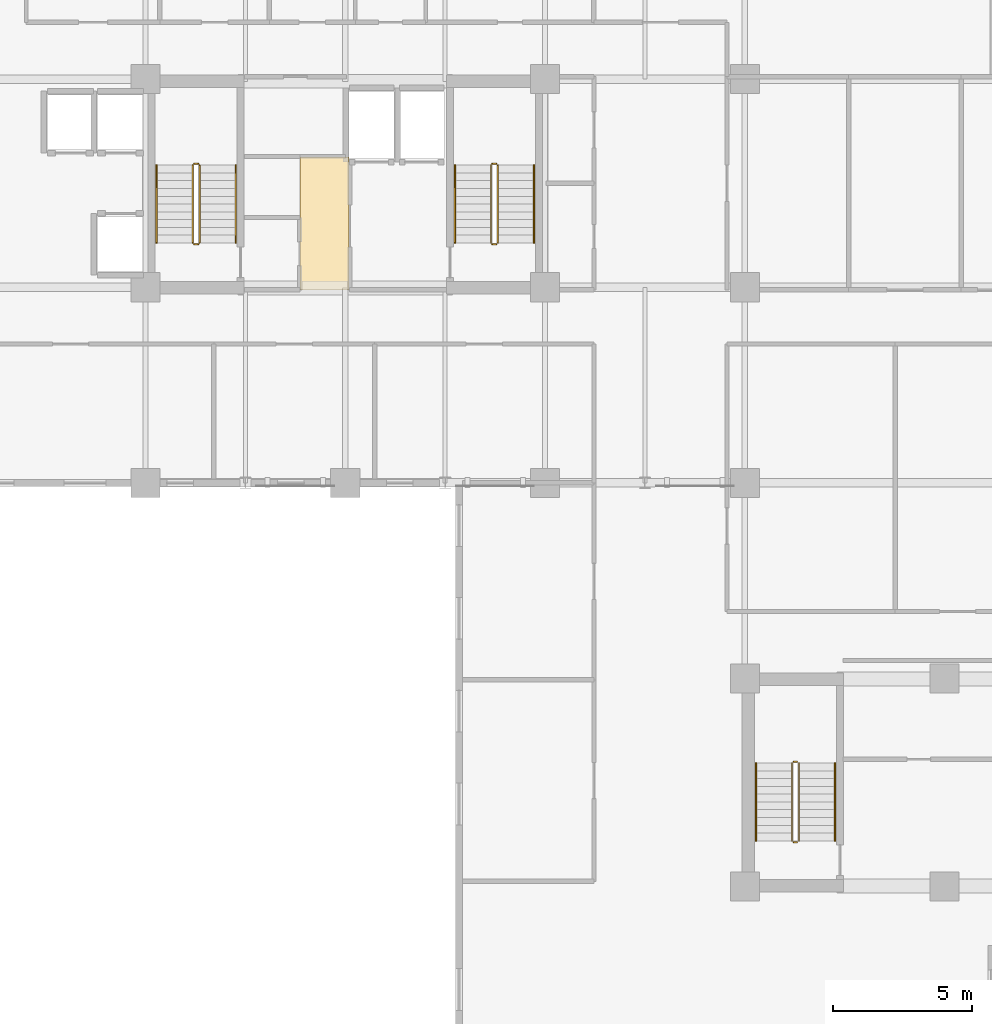
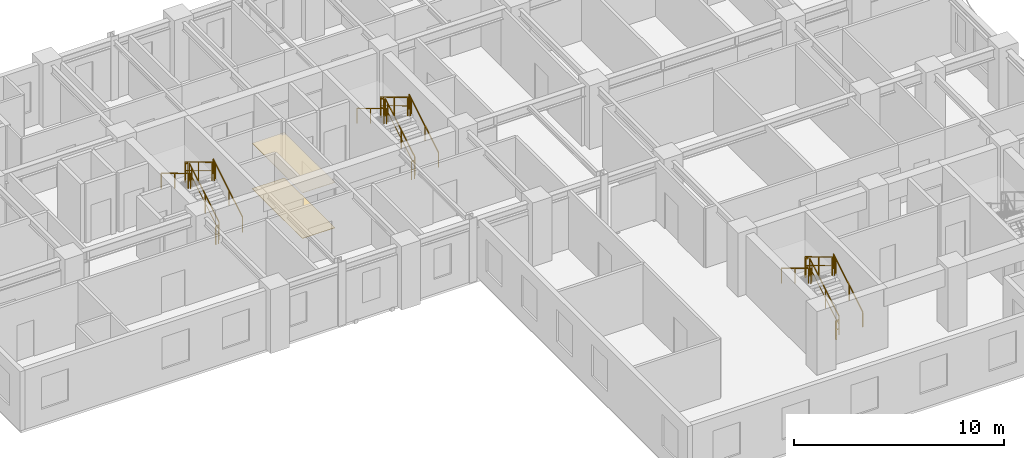
# One storey, part 11 of 13: 18 railings, 2 coverings.
"""IFC4 building model written with IfcOpenShell, lengths in metres."""

from ifc_helpers import new_model, si_unit, direction, frame, origin, origin_2d, place, context, subcontext, project, spatial, rectangle, extrude, source, transform, mapped, material, layer, layer_set, type_object, element, save


model = new_model("IFC4")

# Units and contexts
model_context = context("Model", 3, precision=1e-05, world=origin(), true_north=direction((0.0, 1.0)))
body_context = subcontext(model_context, "Body", "Model", "MODEL_VIEW")
ifc_project = project(units=[si_unit("LENGTHUNIT", "METRE"), si_unit("AREAUNIT", "SQUARE_METRE"), si_unit("VOLUMEUNIT", "CUBIC_METRE"), si_unit("PLANEANGLEUNIT", "RADIAN"), si_unit("MASSUNIT", "GRAM", prefix="KILO")], contexts=[model_context])

# Site, building, storey
site_placement = place(None, origin())
site = spatial("IfcSite", under=ifc_project, at=site_placement, CompositionType="ELEMENT")
building_placement = place(site_placement, origin())
building = spatial("IfcBuilding", under=site, at=building_placement, Name="Kaliganga Portal Commons", CompositionType="ELEMENT")
storey_placement = place(building_placement, frame((0.0, 0.0, 180.89990234375)))
storey = spatial("IfcBuildingStorey", under=building, at=storey_placement, Name="L46", CompositionType="ELEMENT", Elevation=180.89990234375)

# Railings
ifc_material_1 = material(Name="Galvanized Painted Steel Balustrade", Category="steel")
railing_type_1 = type_object("IfcRailingType", Name="RLG-STAIR-GRD", PredefinedType="GUARDRAIL", material=ifc_material_1)
railing_1_placement = place(storey_placement, frame((16.35009765625, 30.25, 0.168212890625)))
element("IfcRailing", 1, at=railing_1_placement, inside=storey, type_object=railing_type_1, Name="L46 ST-A1 stair guard 1", PredefinedType="GUARDRAIL", context=body_context, shape_type="SweptSolid", body=[
    extrude(rectangle(XDim=0.048095703125, YDim=0.048095703125, at=origin_2d()), frame((0.0, 0.0, 1.072021484375), z_axis=(0.0, 0.857242210791, 0.514913383045), x_axis=(-1.0, 0.0, 0.0)), (0.0, 0.0, 1.0), 3.266357421875),
    extrude(rectangle(XDim=0.028076171875, YDim=0.028076171875, at=origin_2d()), frame((0.0, 0.0, 0.572021484375), z_axis=(0.0, 0.857242210791, 0.514913383045), x_axis=(-1.0, 0.0, 0.0)), (0.0, 0.0, 1.0), 3.266357421875),
    extrude(rectangle(XDim=0.0419921875, YDim=0.0419921875, at=origin_2d()), origin(), (0.0, 0.0, 1.0), 1.052001953125),
    extrude(rectangle(XDim=0.0419921875, YDim=0.0419921875, at=origin_2d()), frame((0.0, 1.285888671875, 0.7724609375)), (0.0, 0.0, 1.0), 1.052001953125),
    extrude(rectangle(XDim=0.0419921875, YDim=0.0419921875, at=origin_2d()), frame((0.0, 2.57177734375, 1.544677734375)), (0.0, 0.0, 1.0), 1.052001953125),
    extrude(rectangle(XDim=0.0419921875, YDim=0.0419921875, at=origin_2d()), frame((0.0, 2.800048828125, 1.681884765625)), (0.0, 0.0, 1.0), 1.052001953125),
])
railing_2_placement = place(storey_placement, frame((16.300048828125, 33.10009765625, 1.85009765625)))
element("IfcRailing", 2, at=railing_2_placement, inside=storey, type_object=railing_type_1, Name="L46 ST-A1 stair guard 2", PredefinedType="GUARDRAIL", context=body_context, shape_type="SweptSolid", body=[
    extrude(rectangle(XDim=0.048095703125, YDim=0.048095703125, at=origin_2d()), frame((0.0, 0.0, 1.076171875), z_axis=(-1.0, 0.0, 0.0), x_axis=(0.0, -1.0, 0.0)), (0.0, 0.0, 1.0), 0.150146484375),
    extrude(rectangle(XDim=0.028076171875, YDim=0.028076171875, at=origin_2d()), frame((0.0, 0.0, 0.572021484375), z_axis=(-1.0, 0.0, 0.0), x_axis=(0.0, -1.0, 0.0)), (0.0, 0.0, 1.0), 0.150146484375),
    extrude(rectangle(XDim=0.0419921875, YDim=0.0419921875, at=origin_2d()), origin(), (0.0, 0.0, 1.0), 1.052001953125),
    extrude(rectangle(XDim=0.0419921875, YDim=0.0419921875, at=origin_2d()), frame((-0.150146484375, 0.0, 0.0)), (0.0, 0.0, 1.0), 1.052001953125),
])
railing_3_placement = place(storey_placement, frame((16.10009765625, 33.050048828125, 2.018310546875)))
element("IfcRailing", 3, at=railing_3_placement, inside=storey, type_object=railing_type_1, Name="L46 ST-A1 stair guard 3", PredefinedType="GUARDRAIL", context=body_context, shape_type="SweptSolid", body=[
    extrude(rectangle(XDim=0.048095703125, YDim=0.048095703125, at=origin_2d()), frame((0.0, 0.0, 1.072021484375), z_axis=(0.0, -0.857242210791, 0.514913383045), x_axis=(1.0, 0.0, 0.0)), (0.0, 0.0, 1.0), 3.266357421875),
    extrude(rectangle(XDim=0.028076171875, YDim=0.028076171875, at=origin_2d()), frame((0.0, 0.0, 0.572021484375), z_axis=(0.0, -0.857242210791, 0.514913383045), x_axis=(1.0, 0.0, 0.0)), (0.0, 0.0, 1.0), 3.266357421875),
    extrude(rectangle(XDim=0.0419921875, YDim=0.0419921875, at=origin_2d()), origin(), (0.0, 0.0, 1.0), 1.052001953125),
    extrude(rectangle(XDim=0.0419921875, YDim=0.0419921875, at=origin_2d()), frame((0.0, -1.285888671875, 0.7724609375)), (0.0, 0.0, 1.0), 1.052001953125),
    extrude(rectangle(XDim=0.0419921875, YDim=0.0419921875, at=origin_2d()), frame((0.0, -2.57177734375, 1.544677734375)), (0.0, 0.0, 1.0), 1.052001953125),
    extrude(rectangle(XDim=0.0419921875, YDim=0.0419921875, at=origin_2d()), frame((0.0, -2.800048828125, 1.681884765625)), (0.0, 0.0, 1.0), 1.052001953125),
])
railing_4_placement = place(storey_placement, frame((16.300048828125, 30.199951171875, 0.0)))
element("IfcRailing", 4, at=railing_4_placement, inside=storey, type_object=railing_type_1, Name="L46 ST-A1 stair guard 4", PredefinedType="GUARDRAIL", context=body_context, shape_type="SweptSolid", body=[
    extrude(rectangle(XDim=0.048095703125, YDim=0.048095703125, at=origin_2d()), frame((0.0, 0.0, 1.076171875), z_axis=(-1.0, 0.0, 0.0), x_axis=(0.0, -1.0, 0.0)), (0.0, 0.0, 1.0), 0.150146484375),
    extrude(rectangle(XDim=0.028076171875, YDim=0.028076171875, at=origin_2d()), frame((0.0, 0.0, 0.572021484375), z_axis=(-1.0, 0.0, 0.0), x_axis=(0.0, -1.0, 0.0)), (0.0, 0.0, 1.0), 0.150146484375),
    extrude(rectangle(XDim=0.0419921875, YDim=0.0419921875, at=origin_2d()), origin(), (0.0, 0.0, 1.0), 1.052001953125),
    extrude(rectangle(XDim=0.0419921875, YDim=0.0419921875, at=origin_2d()), frame((-0.150146484375, 0.0, 0.0)), (0.0, 0.0, 1.0), 1.052001953125),
])
railing_5_placement = place(storey_placement, frame((27.10009765625, 30.25, 0.168212890625)))
element("IfcRailing", 5, at=railing_5_placement, inside=storey, type_object=railing_type_1, Name="L46 ST-A2 stair guard 1", PredefinedType="GUARDRAIL", context=body_context, shape_type="SweptSolid", body=[
    extrude(rectangle(XDim=0.048095703125, YDim=0.048095703125, at=origin_2d()), frame((0.0, 0.0, 1.072021484375), z_axis=(0.0, 0.857242210791, 0.514913383045), x_axis=(-1.0, 0.0, 0.0)), (0.0, 0.0, 1.0), 3.266357421875),
    extrude(rectangle(XDim=0.028076171875, YDim=0.028076171875, at=origin_2d()), frame((0.0, 0.0, 0.572021484375), z_axis=(0.0, 0.857242210791, 0.514913383045), x_axis=(-1.0, 0.0, 0.0)), (0.0, 0.0, 1.0), 3.266357421875),
    extrude(rectangle(XDim=0.0419921875, YDim=0.0419921875, at=origin_2d()), origin(), (0.0, 0.0, 1.0), 1.052001953125),
    extrude(rectangle(XDim=0.0419921875, YDim=0.0419921875, at=origin_2d()), frame((0.0, 1.285888671875, 0.7724609375)), (0.0, 0.0, 1.0), 1.052001953125),
    extrude(rectangle(XDim=0.0419921875, YDim=0.0419921875, at=origin_2d()), frame((0.0, 2.57177734375, 1.544677734375)), (0.0, 0.0, 1.0), 1.052001953125),
    extrude(rectangle(XDim=0.0419921875, YDim=0.0419921875, at=origin_2d()), frame((0.0, 2.800048828125, 1.681884765625)), (0.0, 0.0, 1.0), 1.052001953125),
])
railing_6_placement = place(storey_placement, frame((27.050048828125, 33.10009765625, 1.85009765625)))
element("IfcRailing", 6, at=railing_6_placement, inside=storey, type_object=railing_type_1, Name="L46 ST-A2 stair guard 2", PredefinedType="GUARDRAIL", context=body_context, shape_type="SweptSolid", body=[
    extrude(rectangle(XDim=0.048095703125, YDim=0.048095703125, at=origin_2d()), frame((0.0, 0.0, 1.076171875), z_axis=(-1.0, 0.0, 0.0), x_axis=(0.0, -1.0, 0.0)), (0.0, 0.0, 1.0), 0.150146484375),
    extrude(rectangle(XDim=0.028076171875, YDim=0.028076171875, at=origin_2d()), frame((0.0, 0.0, 0.572021484375), z_axis=(-1.0, 0.0, 0.0), x_axis=(0.0, -1.0, 0.0)), (0.0, 0.0, 1.0), 0.150146484375),
    extrude(rectangle(XDim=0.0419921875, YDim=0.0419921875, at=origin_2d()), origin(), (0.0, 0.0, 1.0), 1.052001953125),
    extrude(rectangle(XDim=0.0419921875, YDim=0.0419921875, at=origin_2d()), frame((-0.150146484375, 0.0, 0.0)), (0.0, 0.0, 1.0), 1.052001953125),
])
railing_7_placement = place(storey_placement, frame((26.85009765625, 33.050048828125, 2.018310546875)))
element("IfcRailing", 7, at=railing_7_placement, inside=storey, type_object=railing_type_1, Name="L46 ST-A2 stair guard 3", PredefinedType="GUARDRAIL", context=body_context, shape_type="SweptSolid", body=[
    extrude(rectangle(XDim=0.048095703125, YDim=0.048095703125, at=origin_2d()), frame((0.0, 0.0, 1.072021484375), z_axis=(0.0, -0.857242210791, 0.514913383045), x_axis=(1.0, 0.0, 0.0)), (0.0, 0.0, 1.0), 3.266357421875),
    extrude(rectangle(XDim=0.028076171875, YDim=0.028076171875, at=origin_2d()), frame((0.0, 0.0, 0.572021484375), z_axis=(0.0, -0.857242210791, 0.514913383045), x_axis=(1.0, 0.0, 0.0)), (0.0, 0.0, 1.0), 3.266357421875),
    extrude(rectangle(XDim=0.0419921875, YDim=0.0419921875, at=origin_2d()), origin(), (0.0, 0.0, 1.0), 1.052001953125),
    extrude(rectangle(XDim=0.0419921875, YDim=0.0419921875, at=origin_2d()), frame((0.0, -1.285888671875, 0.7724609375)), (0.0, 0.0, 1.0), 1.052001953125),
    extrude(rectangle(XDim=0.0419921875, YDim=0.0419921875, at=origin_2d()), frame((0.0, -2.57177734375, 1.544677734375)), (0.0, 0.0, 1.0), 1.052001953125),
    extrude(rectangle(XDim=0.0419921875, YDim=0.0419921875, at=origin_2d()), frame((0.0, -2.800048828125, 1.681884765625)), (0.0, 0.0, 1.0), 1.052001953125),
])
railing_8_placement = place(storey_placement, frame((27.050048828125, 30.199951171875, 0.0)))
element("IfcRailing", 8, at=railing_8_placement, inside=storey, type_object=railing_type_1, Name="L46 ST-A2 stair guard 4", PredefinedType="GUARDRAIL", context=body_context, shape_type="SweptSolid", body=[
    extrude(rectangle(XDim=0.048095703125, YDim=0.048095703125, at=origin_2d()), frame((0.0, 0.0, 1.076171875), z_axis=(-1.0, 0.0, 0.0), x_axis=(0.0, -1.0, 0.0)), (0.0, 0.0, 1.0), 0.150146484375),
    extrude(rectangle(XDim=0.028076171875, YDim=0.028076171875, at=origin_2d()), frame((0.0, 0.0, 0.572021484375), z_axis=(-1.0, 0.0, 0.0), x_axis=(0.0, -1.0, 0.0)), (0.0, 0.0, 1.0), 0.150146484375),
    extrude(rectangle(XDim=0.0419921875, YDim=0.0419921875, at=origin_2d()), origin(), (0.0, 0.0, 1.0), 1.052001953125),
    extrude(rectangle(XDim=0.0419921875, YDim=0.0419921875, at=origin_2d()), frame((-0.150146484375, 0.0, 0.0)), (0.0, 0.0, 1.0), 1.052001953125),
])
railing_9_placement = place(storey_placement, frame((37.949951171875, 8.699951171875, 0.168212890625)))
element("IfcRailing", 9, at=railing_9_placement, inside=storey, type_object=railing_type_1, Name="L46 ST-B1 stair guard 1", PredefinedType="GUARDRAIL", context=body_context, shape_type="SweptSolid", body=[
    extrude(rectangle(XDim=0.048095703125, YDim=0.048095703125, at=origin_2d()), frame((0.0, 0.0, 1.072021484375), z_axis=(0.0, 0.857242210791, 0.514913383045), x_axis=(-1.0, 0.0, 0.0)), (0.0, 0.0, 1.0), 3.266357421875),
    extrude(rectangle(XDim=0.028076171875, YDim=0.028076171875, at=origin_2d()), frame((0.0, 0.0, 0.572021484375), z_axis=(0.0, 0.857242210791, 0.514913383045), x_axis=(-1.0, 0.0, 0.0)), (0.0, 0.0, 1.0), 3.266357421875),
    extrude(rectangle(XDim=0.0419921875, YDim=0.0419921875, at=origin_2d()), origin(), (0.0, 0.0, 1.0), 1.052001953125),
    extrude(rectangle(XDim=0.0419921875, YDim=0.0419921875, at=origin_2d()), frame((0.0, 1.285888671875, 0.7724609375)), (0.0, 0.0, 1.0), 1.052001953125),
    extrude(rectangle(XDim=0.0419921875, YDim=0.0419921875, at=origin_2d()), frame((0.0, 2.57177734375, 1.544677734375)), (0.0, 0.0, 1.0), 1.052001953125),
    extrude(rectangle(XDim=0.0419921875, YDim=0.0419921875, at=origin_2d()), frame((0.0, 2.800048828125, 1.681884765625)), (0.0, 0.0, 1.0), 1.052001953125),
])
railing_10_placement = place(storey_placement, frame((37.89990234375, 11.550048828125, 1.85009765625)))
element("IfcRailing", 10, at=railing_10_placement, inside=storey, type_object=railing_type_1, Name="L46 ST-B1 stair guard 2", PredefinedType="GUARDRAIL", context=body_context, shape_type="SweptSolid", body=[
    extrude(rectangle(XDim=0.048095703125, YDim=0.048095703125, at=origin_2d()), frame((0.0, 0.0, 1.076171875), z_axis=(-1.0, 0.0, 0.0), x_axis=(0.0, -1.0, 0.0)), (0.0, 0.0, 1.0), 0.14990234375),
    extrude(rectangle(XDim=0.028076171875, YDim=0.028076171875, at=origin_2d()), frame((0.0, 0.0, 0.572021484375), z_axis=(-1.0, 0.0, 0.0), x_axis=(0.0, -1.0, 0.0)), (0.0, 0.0, 1.0), 0.14990234375),
    extrude(rectangle(XDim=0.0419921875, YDim=0.0419921875, at=origin_2d()), frame((-0.14990234375, 0.0, 0.0)), (0.0, 0.0, 1.0), 1.052001953125),
])
railing_11_placement = place(storey_placement, frame((37.699951171875, 11.5, 2.018310546875)))
element("IfcRailing", 11, at=railing_11_placement, inside=storey, type_object=railing_type_1, Name="L46 ST-B1 stair guard 3", PredefinedType="GUARDRAIL", context=body_context, shape_type="SweptSolid", body=[
    extrude(rectangle(XDim=0.048095703125, YDim=0.048095703125, at=origin_2d()), frame((0.0, 0.0, 1.072021484375), z_axis=(0.0, -0.857242210791, 0.514913383045), x_axis=(1.0, 0.0, 0.0)), (0.0, 0.0, 1.0), 3.266357421875),
    extrude(rectangle(XDim=0.028076171875, YDim=0.028076171875, at=origin_2d()), frame((0.0, 0.0, 0.572021484375), z_axis=(0.0, -0.857242210791, 0.514913383045), x_axis=(1.0, 0.0, 0.0)), (0.0, 0.0, 1.0), 3.266357421875),
    extrude(rectangle(XDim=0.0419921875, YDim=0.0419921875, at=origin_2d()), origin(), (0.0, 0.0, 1.0), 1.052001953125),
    extrude(rectangle(XDim=0.0419921875, YDim=0.0419921875, at=origin_2d()), frame((0.0, -1.285888671875, 0.7724609375)), (0.0, 0.0, 1.0), 1.052001953125),
    extrude(rectangle(XDim=0.0419921875, YDim=0.0419921875, at=origin_2d()), frame((0.0, -2.57177734375, 1.544677734375)), (0.0, 0.0, 1.0), 1.052001953125),
    extrude(rectangle(XDim=0.0419921875, YDim=0.0419921875, at=origin_2d()), frame((0.0, -2.800048828125, 1.681884765625)), (0.0, 0.0, 1.0), 1.052001953125),
])
railing_12_placement = place(storey_placement, frame((37.89990234375, 8.64990234375, 0.0)))
element("IfcRailing", 12, at=railing_12_placement, inside=storey, type_object=railing_type_1, Name="L46 ST-B1 stair guard 4", PredefinedType="GUARDRAIL", context=body_context, shape_type="SweptSolid", body=[
    extrude(rectangle(XDim=0.048095703125, YDim=0.048095703125, at=origin_2d()), frame((0.0, 0.0, 1.076171875), z_axis=(-1.0, 0.0, 0.0), x_axis=(0.0, -1.0, 0.0)), (0.0, 0.0, 1.0), 0.14990234375),
    extrude(rectangle(XDim=0.028076171875, YDim=0.028076171875, at=origin_2d()), frame((0.0, 0.0, 0.572021484375), z_axis=(-1.0, 0.0, 0.0), x_axis=(0.0, -1.0, 0.0)), (0.0, 0.0, 1.0), 0.14990234375),
    extrude(rectangle(XDim=0.0419921875, YDim=0.0419921875, at=origin_2d()), frame((-0.14990234375, 0.0, 0.0)), (0.0, 0.0, 1.0), 1.052001953125),
])
ifc_material_2 = material(Name="Brushed Stainless Steel 316", Category="steel")
railing_type_2 = type_object("IfcRailingType", Name="RLG-STAIR-HR", PredefinedType="HANDRAIL", material=ifc_material_2)
railing_13_placement = place(storey_placement, frame((17.64990234375, 30.25, 0.168212890625)))
element("IfcRailing", 13, at=railing_13_placement, inside=storey, type_object=railing_type_2, Name="L46 ST-A1 stair handrail 1", PredefinedType="HANDRAIL", context=body_context, shape_type="SweptSolid", body=[
    extrude(rectangle(XDim=0.048095703125, YDim=0.048095703125, at=origin_2d()), frame((0.0, 0.0, 0.871826171875), z_axis=(0.0, 0.857242210791, 0.514913383045), x_axis=(-1.0, 0.0, 0.0)), (0.0, 0.0, 1.0), 3.266357421875),
    extrude(rectangle(XDim=0.0419921875, YDim=0.0419921875, at=origin_2d()), origin(), (0.0, 0.0, 1.0), 0.851806640625),
    extrude(rectangle(XDim=0.0419921875, YDim=0.0419921875, at=origin_2d()), frame((0.0, 1.285888671875, 0.7724609375)), (0.0, 0.0, 1.0), 0.851806640625),
    extrude(rectangle(XDim=0.0419921875, YDim=0.0419921875, at=origin_2d()), frame((0.0, 2.57177734375, 1.544677734375)), (0.0, 0.0, 1.0), 0.851806640625),
    extrude(rectangle(XDim=0.0419921875, YDim=0.0419921875, at=origin_2d()), frame((0.0, 2.800048828125, 1.681884765625)), (0.0, 0.0, 1.0), 0.851806640625),
])
railing_14_placement = place(storey_placement, frame((14.800048828125, 33.050048828125, 2.018310546875)))
element("IfcRailing", 14, at=railing_14_placement, inside=storey, type_object=railing_type_2, Name="L46 ST-A1 stair handrail 2", PredefinedType="HANDRAIL", context=body_context, shape_type="SweptSolid", body=[
    extrude(rectangle(XDim=0.048095703125, YDim=0.048095703125, at=origin_2d()), frame((0.0, 0.0, 0.871826171875), z_axis=(0.0, -0.857242210791, 0.514913383045), x_axis=(1.0, 0.0, 0.0)), (0.0, 0.0, 1.0), 3.266357421875),
    extrude(rectangle(XDim=0.0419921875, YDim=0.0419921875, at=origin_2d()), origin(), (0.0, 0.0, 1.0), 0.851806640625),
    extrude(rectangle(XDim=0.0419921875, YDim=0.0419921875, at=origin_2d()), frame((0.0, -1.285888671875, 0.7724609375)), (0.0, 0.0, 1.0), 0.851806640625),
    extrude(rectangle(XDim=0.0419921875, YDim=0.0419921875, at=origin_2d()), frame((0.0, -2.57177734375, 1.544677734375)), (0.0, 0.0, 1.0), 0.851806640625),
    extrude(rectangle(XDim=0.0419921875, YDim=0.0419921875, at=origin_2d()), frame((0.0, -2.800048828125, 1.681884765625)), (0.0, 0.0, 1.0), 0.851806640625),
])
railing_15_placement = place(storey_placement, frame((28.39990234375, 30.25, 0.168212890625)))
element("IfcRailing", 15, at=railing_15_placement, inside=storey, type_object=railing_type_2, Name="L46 ST-A2 stair handrail 1", PredefinedType="HANDRAIL", context=body_context, shape_type="SweptSolid", body=[
    extrude(rectangle(XDim=0.048095703125, YDim=0.048095703125, at=origin_2d()), frame((0.0, 0.0, 0.871826171875), z_axis=(0.0, 0.857242210791, 0.514913383045), x_axis=(-1.0, 0.0, 0.0)), (0.0, 0.0, 1.0), 3.266357421875),
    extrude(rectangle(XDim=0.0419921875, YDim=0.0419921875, at=origin_2d()), origin(), (0.0, 0.0, 1.0), 0.851806640625),
    extrude(rectangle(XDim=0.0419921875, YDim=0.0419921875, at=origin_2d()), frame((0.0, 1.285888671875, 0.7724609375)), (0.0, 0.0, 1.0), 0.851806640625),
    extrude(rectangle(XDim=0.0419921875, YDim=0.0419921875, at=origin_2d()), frame((0.0, 2.57177734375, 1.544677734375)), (0.0, 0.0, 1.0), 0.851806640625),
    extrude(rectangle(XDim=0.0419921875, YDim=0.0419921875, at=origin_2d()), frame((0.0, 2.800048828125, 1.681884765625)), (0.0, 0.0, 1.0), 0.851806640625),
])
railing_16_placement = place(storey_placement, frame((25.550048828125, 33.050048828125, 2.018310546875)))
element("IfcRailing", 16, at=railing_16_placement, inside=storey, type_object=railing_type_2, Name="L46 ST-A2 stair handrail 2", PredefinedType="HANDRAIL", context=body_context, shape_type="SweptSolid", body=[
    extrude(rectangle(XDim=0.048095703125, YDim=0.048095703125, at=origin_2d()), frame((0.0, 0.0, 0.871826171875), z_axis=(0.0, -0.857242210791, 0.514913383045), x_axis=(1.0, 0.0, 0.0)), (0.0, 0.0, 1.0), 3.266357421875),
    extrude(rectangle(XDim=0.0419921875, YDim=0.0419921875, at=origin_2d()), origin(), (0.0, 0.0, 1.0), 0.851806640625),
    extrude(rectangle(XDim=0.0419921875, YDim=0.0419921875, at=origin_2d()), frame((0.0, -1.285888671875, 0.7724609375)), (0.0, 0.0, 1.0), 0.851806640625),
    extrude(rectangle(XDim=0.0419921875, YDim=0.0419921875, at=origin_2d()), frame((0.0, -2.57177734375, 1.544677734375)), (0.0, 0.0, 1.0), 0.851806640625),
    extrude(rectangle(XDim=0.0419921875, YDim=0.0419921875, at=origin_2d()), frame((0.0, -2.800048828125, 1.681884765625)), (0.0, 0.0, 1.0), 0.851806640625),
])
railing_17_placement = place(storey_placement, frame((39.25, 8.699951171875, 0.168212890625)))
element("IfcRailing", 17, at=railing_17_placement, inside=storey, type_object=railing_type_2, Name="L46 ST-B1 stair handrail 1", PredefinedType="HANDRAIL", context=body_context, shape_type="SweptSolid", body=[
    extrude(rectangle(XDim=0.048095703125, YDim=0.048095703125, at=origin_2d()), frame((0.0, 0.0, 0.871826171875), z_axis=(0.0, 0.857242210791, 0.514913383045), x_axis=(-1.0, 0.0, 0.0)), (0.0, 0.0, 1.0), 3.266357421875),
    extrude(rectangle(XDim=0.0419921875, YDim=0.0419921875, at=origin_2d()), origin(), (0.0, 0.0, 1.0), 0.851806640625),
    extrude(rectangle(XDim=0.0419921875, YDim=0.0419921875, at=origin_2d()), frame((0.0, 1.285888671875, 0.7724609375)), (0.0, 0.0, 1.0), 0.851806640625),
    extrude(rectangle(XDim=0.0419921875, YDim=0.0419921875, at=origin_2d()), frame((0.0, 2.57177734375, 1.544677734375)), (0.0, 0.0, 1.0), 0.851806640625),
    extrude(rectangle(XDim=0.0419921875, YDim=0.0419921875, at=origin_2d()), frame((0.0, 2.800048828125, 1.681884765625)), (0.0, 0.0, 1.0), 0.851806640625),
])
railing_18_placement = place(storey_placement, frame((36.39990234375, 11.5, 2.018310546875)))
element("IfcRailing", 18, at=railing_18_placement, inside=storey, type_object=railing_type_2, Name="L46 ST-B1 stair handrail 2", PredefinedType="HANDRAIL", context=body_context, shape_type="SweptSolid", body=[
    extrude(rectangle(XDim=0.048095703125, YDim=0.048095703125, at=origin_2d()), frame((0.0, 0.0, 0.871826171875), z_axis=(0.0, -0.857242210791, 0.514913383045), x_axis=(1.0, 0.0, 0.0)), (0.0, 0.0, 1.0), 3.266357421875),
    extrude(rectangle(XDim=0.0419921875, YDim=0.0419921875, at=origin_2d()), origin(), (0.0, 0.0, 1.0), 0.851806640625),
    extrude(rectangle(XDim=0.0419921875, YDim=0.0419921875, at=origin_2d()), frame((0.0, -1.285888671875, 0.7724609375)), (0.0, 0.0, 1.0), 0.851806640625),
    extrude(rectangle(XDim=0.0419921875, YDim=0.0419921875, at=origin_2d()), frame((0.0, -2.57177734375, 1.544677734375)), (0.0, 0.0, 1.0), 0.851806640625),
    extrude(rectangle(XDim=0.0419921875, YDim=0.0419921875, at=origin_2d()), frame((0.0, -2.800048828125, 1.681884765625)), (0.0, 0.0, 1.0), 0.851806640625),
])

# Coverings
ifc_material_3 = material(Name="Acoustic Micro-Perforated Gypsum Ceiling", Category="gypsum")
ifc_layer_1 = layer(ifc_material_3, 0.02001953125)
ifc_layer_set_1 = layer_set([ifc_layer_1], Name="Acoustic Micro-Perforated Gypsum Ceiling")
covering_type_1 = type_object("IfcCoveringType", Name="COV-CEIL-GYP", PredefinedType="CEILING", material=ifc_layer_set_1)
shared_shape_1 = source(origin(), body_context, "Body", "SweptSolid", [
    extrude(rectangle(XDim=1.780029296875, YDim=4.780029296875, at=origin_2d()), origin(), (0.0, 0.0, 1.0), 0.02001953125),
])
covering_1_placement = place(storey_placement, frame((20.85009765625, 30.949951171875, 2.64013671875), z_axis=(0.0, 0.0, 1.0), x_axis=(1.0, 0.0, 0.0)))
element("IfcCovering", 19, at=covering_1_placement, inside=storey, type_object=covering_type_1, Name="Acoustic Ceiling L46 PLOB_A", PredefinedType="CEILING", context=body_context, shape_type="MappedRepresentation", body=[
    mapped(shared_shape_1, transform((0.0, 0.0, 0.0), x_axis=(1.0, 0.0, 0.0), y_axis=(0.0, 1.0, 0.0), z_axis=(0.0, 0.0, 1.0), scale=1.0)),
])
ifc_material_4 = material(Name="Polished Sylhet Stone Terrazzo Flooring", Category="masonry")
ifc_layer_2 = layer(ifc_material_4, 0.02490234375)
ifc_layer_set_2 = layer_set([ifc_layer_2], Name="Polished Sylhet Stone Terrazzo Flooring")
covering_type_2 = type_object("IfcCoveringType", Name="COV-FLR-TERRAZZO", PredefinedType="FLOORING", material=ifc_layer_set_2)
shared_shape_2 = source(origin(), body_context, "Body", "SweptSolid", [
    extrude(rectangle(XDim=1.780029296875, YDim=4.780029296875, at=origin_2d()), origin(), (0.0, 0.0, 1.0), 0.02490234375),
])
covering_2_placement = place(storey_placement, frame((20.85009765625, 30.949951171875, 0.000732421875), z_axis=(0.0, 0.0, 1.0), x_axis=(1.0, 0.0, 0.0)))
element("IfcCovering", 20, at=covering_2_placement, inside=storey, type_object=covering_type_2, Name="Terrazzo Flooring L46 PLOB_A", PredefinedType="FLOORING", context=body_context, shape_type="MappedRepresentation", body=[
    mapped(shared_shape_2, transform((0.0, 0.0, 0.0), x_axis=(1.0, 0.0, 0.0), y_axis=(0.0, 1.0, 0.0), z_axis=(0.0, 0.0, 1.0), scale=1.0)),
])

save(model, "model.ifc")
